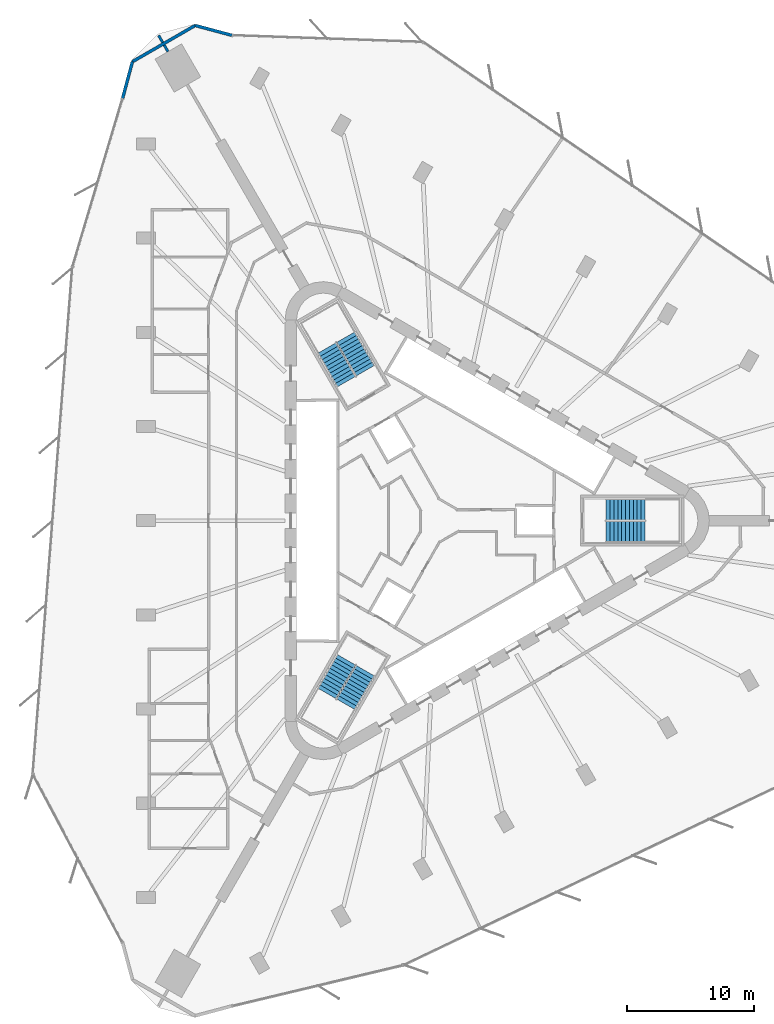
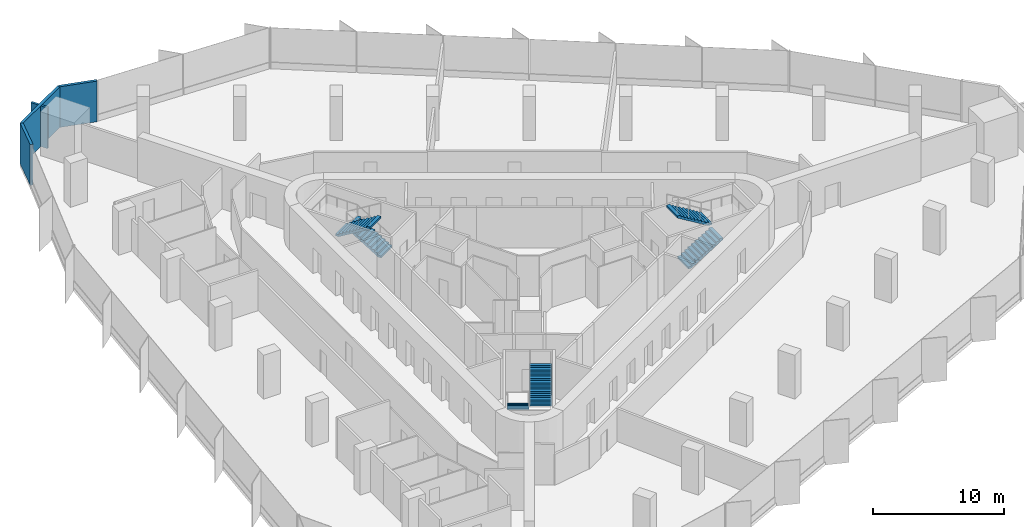
# One storey, part 14 of 15: 6 stair flights, 5 walls, 3 elements without a shape of their own.
"""IFC4 building model written with IfcOpenShell, lengths in metres."""

from ifc_helpers import new_model, si_unit, direction, frame, frame_2d, origin, place, context, subcontext, project, spatial, polyline, rectangle, outline, extrude, material, layer, layer_set, type_object, element, aggregate, save


model = new_model("IFC4")

# Units and contexts
model_context = context("Model", 3, precision=1e-05, world=origin(), true_north=direction((0.0, 1.0)))
body_context = subcontext(model_context, "Body", "Model", "MODEL_VIEW")
ifc_project = project(units=[si_unit("LENGTHUNIT", "METRE"), si_unit("AREAUNIT", "SQUARE_METRE"), si_unit("VOLUMEUNIT", "CUBIC_METRE"), si_unit("PLANEANGLEUNIT", "RADIAN"), si_unit("MASSUNIT", "GRAM", prefix="KILO")], contexts=[model_context])

# Site, building, storey
site_placement = place(None, origin())
site = spatial("IfcSite", under=ifc_project, at=site_placement, CompositionType="ELEMENT")
building_placement = place(site_placement, origin())
building = spatial("IfcBuilding", under=site, at=building_placement, Name="Tanit Gate Tower", CompositionType="ELEMENT")
storey_placement = place(building_placement, frame((0.0, 0.0, 102.89990234375)))
storey = spatial("IfcBuildingStorey", under=building, at=storey_placement, Name="L21", CompositionType="ELEMENT", Elevation=102.89990234375)

# Walls
ifc_material_1 = material(Name="Concrete C30/37 with bronze anodised aluminium cladding", Category="concrete")
ifc_layer_1 = layer(ifc_material_1, 0.239990234375)
ifc_layer_set_1 = layer_set([ifc_layer_1], Name="Facade wall bronze clad 240")
wall_type_1 = type_object("IfcWallType", Name="Facade wall bronze clad 240", PredefinedType="SOLIDWALL", material=ifc_layer_set_1)
wall_1_placement = place(storey_placement, frame((-16.26318359375, 38.09033203125, 0.0), z_axis=(0.0, 0.0, 1.0), x_axis=(-0.965934938286, 0.258785036271, 0.0)))
element("IfcWall", 1, at=wall_1_placement, inside=storey, type_object=wall_type_1, Name="Bronze-clad facade wall L21 NW.arc1", PredefinedType="SOLIDWALL", context=body_context, shape_type="SweptSolid", body=[
    extrude(rectangle(XDim=2.991455078125, YDim=0.239990234375, at=frame_2d((1.49560546875, 0.0))), origin(), (0.0, 0.0, 1.0), 3.800048828125),
])
wall_2_placement = place(storey_placement, frame((-19.15283203125, 38.864501953125, 0.0), z_axis=(0.0, 0.0, 1.0), x_axis=(-0.866024844342, -0.500000968981, 0.0)))
element("IfcWall", 2, at=wall_2_placement, inside=storey, type_object=wall_type_1, Name="Bronze-clad facade wall L21 NW.arc2", PredefinedType="SOLIDWALL", context=body_context, shape_type="SweptSolid", body=[
    extrude(rectangle(XDim=5.69091796875, YDim=0.239990234375, at=frame_2d((2.845458984375, 0.0))), origin(), (0.0, 0.0, 1.0), 3.800048828125),
])
wall_3_placement = place(storey_placement, frame((-24.081298828125, 36.01904296875, 0.0), z_axis=(0.0, 0.0, 1.0), x_axis=(-0.258830280341, -0.965922815746, 0.0)))
element("IfcWall", 3, at=wall_3_placement, inside=storey, type_object=wall_type_1, Name="Bronze-clad facade wall L21 NW.arc3", PredefinedType="SOLIDWALL", context=body_context, shape_type="SweptSolid", body=[
    extrude(rectangle(XDim=2.979736328125, YDim=0.239990234375, at=frame_2d((1.48974609375, 0.0))), origin(), (0.0, 0.0, 1.0), 3.800048828125),
])
ifc_material_2 = material(Name="Fire-rated gypsum board partition")
ifc_layer_2 = layer(ifc_material_2, 0.199951171875)
ifc_layer_set_2 = layer_set([ifc_layer_2], Name="INT-WALL-COMPARTMENT")
wall_type_2 = type_object("IfcWallType", Name="INT-WALL-COMPARTMENT", PredefinedType="PARTITIONING", material=ifc_layer_set_2)
wall_4_placement = place(storey_placement, frame((-21.286376953125, 36.80908203125, 0.0), z_axis=(0.0, 0.0, 1.0), x_axis=(-0.500078724409, 0.865979947454, 0.0)))
element("IfcWall", 4, at=wall_4_placement, inside=storey, type_object=wall_type_2, Name="Wall Compartment W116", PredefinedType="PARTITIONING", context=body_context, shape_type="SweptSolid", body=[
    extrude(rectangle(XDim=0.59326171875, YDim=0.199951171875, at=frame_2d((0.296630859375, 0.0))), origin(), (0.0, 0.0, 1.0), 3.800048828125),
])
wall_5_placement = place(storey_placement, frame((-21.703125, 37.53076171875, 0.0), z_axis=(0.0, 0.0, 1.0), x_axis=(-0.499988999718, 0.866031754707, 0.0)))
element("IfcWall", 5, at=wall_5_placement, inside=storey, type_object=wall_type_2, Name="Wall Compartment W116x1", PredefinedType="PARTITIONING", context=body_context, shape_type="SweptSolid", body=[
    extrude(rectangle(XDim=0.63427734375, YDim=0.199951171875, at=frame_2d((0.317138671875, 0.0))), origin(), (0.0, 0.0, 1.0), 3.800048828125),
])

# Stair, stair flights
ifc_material_3 = material(Name="Concrete C40/50", Category="concrete")
stair_type = type_object("IfcStairType", Name="INT-STAIR-EXIT", PredefinedType="HALF_TURN_STAIR", material=ifc_material_3)
stair_1_placement = place(storey_placement, origin())
stair_1 = element("IfcStair", 6, at=stair_1_placement, inside=storey, type_object=stair_type, Name="L21 STAIR S1", PredefinedType="HALF_TURN_STAIR")
ifc_material_4 = material(Name="Concrete C40/50", Category="concrete")
stair_flight_type = type_object("IfcStairFlightType", Name="INT-STAIR-FLIGHT", PredefinedType="STRAIGHT", material=ifc_material_4)
stair_flight_1_placement = place(storey_placement, frame((13.094970703125, -0.8525390625, 0.0), z_axis=(0.0, 0.0, 1.0), x_axis=(1.0, 0.0, 0.0)))
stair_flight_1 = element("IfcStairFlight", 7, at=stair_flight_1_placement, type_object=stair_flight_type, Name="S1 flight 1", NumberOfRisers=11, NumberOfTreads=10, PredefinedType="STRAIGHT", RiserHeight=0.186363636, TreadLength=0.3051, context=body_context, shape_type="SweptSolid", body=[
    extrude(outline(polyline([(0.0, 0.0), (0.0, 0.186279296875), (0.30517578125, 0.186279296875), (0.30517578125, 0.372802734375), (0.610107421875, 0.372802734375), (0.610107421875, 0.55908203125), (0.915283203125, 0.55908203125), (0.915283203125, 0.745361328125), (1.220458984375, 0.745361328125), (1.220458984375, 0.931884765625), (1.525390625, 0.931884765625), (1.525390625, 1.1181640625), (1.83056640625, 1.1181640625), (1.83056640625, 1.304443359375), (2.1357421875, 1.304443359375), (2.1357421875, 1.490966796875), (2.44091796875, 1.490966796875), (2.44091796875, 1.67724609375), (2.745849609375, 1.67724609375), (2.745849609375, 1.863525390625), (3.051025390625, 1.863525390625), (3.051025390625, 2.050048828125), (3.051025390625, 1.68798828125), (0.28759765625, 0.0), (0.0, 0.0)])), frame((0.0, 0.84765625, 0.0), z_axis=(0.0, -1.0, 0.0), x_axis=(1.0, 0.0, 0.0)), (0.0, 0.0, 1.0), 1.695068359375),
])
stair_flight_2_placement = place(storey_placement, frame((16.14599609375, 0.8525390625, 2.050048828125), z_axis=(0.0, 0.0, 1.0), x_axis=(-1.0, 0.0, 0.0)))
stair_flight_2 = element("IfcStairFlight", 8, at=stair_flight_2_placement, type_object=stair_flight_type, Name="S1 flight 2", NumberOfRisers=11, NumberOfTreads=10, PredefinedType="STRAIGHT", RiserHeight=0.186363636, TreadLength=0.3051, context=body_context, shape_type="SweptSolid", body=[
    extrude(outline(polyline([(0.0, 0.0), (0.0, 0.186279296875), (0.30517578125, 0.186279296875), (0.30517578125, 0.372802734375), (0.610107421875, 0.372802734375), (0.610107421875, 0.55908203125), (0.915283203125, 0.55908203125), (0.915283203125, 0.745361328125), (1.220458984375, 0.745361328125), (1.220458984375, 0.931884765625), (1.525390625, 0.931884765625), (1.525390625, 1.1181640625), (1.83056640625, 1.1181640625), (1.83056640625, 1.304443359375), (2.1357421875, 1.304443359375), (2.1357421875, 1.490966796875), (2.44091796875, 1.490966796875), (2.44091796875, 1.67724609375), (2.745849609375, 1.67724609375), (2.745849609375, 1.863525390625), (3.051025390625, 1.863525390625), (3.051025390625, 2.050048828125), (3.051025390625, 1.68798828125), (0.28759765625, 0.0), (0.0, 0.0)])), frame((0.0, 0.84765625, 0.0), z_axis=(0.0, -1.0, 0.0), x_axis=(1.0, 0.0, 0.0)), (0.0, 0.0, 1.0), 1.695068359375),
])
aggregate(stair_1, [stair_flight_1, stair_flight_2])

stair_2_placement = place(storey_placement, origin())
stair_2 = element("IfcStair", 9, at=stair_2_placement, inside=storey, type_object=stair_type, Name="L21 STAIR S2", PredefinedType="HALF_TURN_STAIR")
stair_flight_3_placement = place(storey_placement, frame((-5.808349609375, 11.766357421875, 0.0), z_axis=(0.0, 0.0, 1.0), x_axis=(-0.5, 0.866025403784, 0.0)))
stair_flight_3 = element("IfcStairFlight", 10, at=stair_flight_3_placement, type_object=stair_flight_type, Name="S2 flight 1", NumberOfRisers=11, NumberOfTreads=10, PredefinedType="STRAIGHT", RiserHeight=0.186363636, TreadLength=0.30492, context=body_context, shape_type="SweptSolid", body=[
    extrude(outline(polyline([(0.0, 0.0), (0.0, 0.186279296875), (0.304931640625, 0.186279296875), (0.304931640625, 0.372802734375), (0.60986328125, 0.372802734375), (0.60986328125, 0.55908203125), (0.914794921875, 0.55908203125), (0.914794921875, 0.745361328125), (1.2197265625, 0.745361328125), (1.2197265625, 0.931884765625), (1.524658203125, 0.931884765625), (1.524658203125, 1.1181640625), (1.82958984375, 1.1181640625), (1.82958984375, 1.304443359375), (2.134521484375, 1.304443359375), (2.134521484375, 1.490966796875), (2.439453125, 1.490966796875), (2.439453125, 1.67724609375), (2.744384765625, 1.67724609375), (2.744384765625, 1.863525390625), (3.04931640625, 1.863525390625), (3.04931640625, 2.050048828125), (3.04931640625, 1.68798828125), (0.287353515625, 0.0), (0.0, 0.0)])), frame((0.0, 0.84716796875, 0.0), z_axis=(0.0, -1.0, 0.0), x_axis=(1.0, 0.0, 0.0)), (0.0, 0.0, 1.0), 1.694091796875),
])
stair_flight_4_placement = place(storey_placement, frame((-8.810302734375, 13.553955078125, 2.050048828125), z_axis=(0.0, 0.0, 1.0), x_axis=(0.5, -0.866025403784, 0.0)))
stair_flight_4 = element("IfcStairFlight", 11, at=stair_flight_4_placement, type_object=stair_flight_type, Name="S2 flight 2", NumberOfRisers=11, NumberOfTreads=10, PredefinedType="STRAIGHT", RiserHeight=0.186363636, TreadLength=0.30492, context=body_context, shape_type="SweptSolid", body=[
    extrude(outline(polyline([(0.0, 0.0), (0.0, 0.186279296875), (0.304931640625, 0.186279296875), (0.304931640625, 0.372802734375), (0.60986328125, 0.372802734375), (0.60986328125, 0.55908203125), (0.914794921875, 0.55908203125), (0.914794921875, 0.745361328125), (1.2197265625, 0.745361328125), (1.2197265625, 0.931884765625), (1.524658203125, 0.931884765625), (1.524658203125, 1.1181640625), (1.82958984375, 1.1181640625), (1.82958984375, 1.304443359375), (2.134521484375, 1.304443359375), (2.134521484375, 1.490966796875), (2.439453125, 1.490966796875), (2.439453125, 1.67724609375), (2.744384765625, 1.67724609375), (2.744384765625, 1.863525390625), (3.04931640625, 1.863525390625), (3.04931640625, 2.050048828125), (3.04931640625, 1.68798828125), (0.287353515625, 0.0), (0.0, 0.0)])), frame((0.0, 0.84716796875, 0.0), z_axis=(0.0, -1.0, 0.0), x_axis=(1.0, 0.0, 0.0)), (0.0, 0.0, 1.0), 1.694091796875),
])
aggregate(stair_2, [stair_flight_3, stair_flight_4])

stair_3_placement = place(storey_placement, origin())
stair_3 = element("IfcStair", 12, at=stair_3_placement, inside=storey, type_object=stair_type, Name="L21 STAIR S3", PredefinedType="HALF_TURN_STAIR")
stair_flight_5_placement = place(storey_placement, frame((-7.285888671875, -10.914306640625, 0.0), z_axis=(0.0, 0.0, 1.0), x_axis=(-0.5, -0.866025403784, 0.0)))
stair_flight_5 = element("IfcStairFlight", 13, at=stair_flight_5_placement, type_object=stair_flight_type, Name="S3 flight 1", NumberOfRisers=11, NumberOfTreads=10, PredefinedType="STRAIGHT", RiserHeight=0.186363636, TreadLength=0.3051, context=body_context, shape_type="SweptSolid", body=[
    extrude(outline(polyline([(0.0, 0.0), (0.0, 0.186279296875), (0.30517578125, 0.186279296875), (0.30517578125, 0.372802734375), (0.610107421875, 0.372802734375), (0.610107421875, 0.55908203125), (0.915283203125, 0.55908203125), (0.915283203125, 0.745361328125), (1.220458984375, 0.745361328125), (1.220458984375, 0.931884765625), (1.525390625, 0.931884765625), (1.525390625, 1.1181640625), (1.83056640625, 1.1181640625), (1.83056640625, 1.304443359375), (2.1357421875, 1.304443359375), (2.1357421875, 1.490966796875), (2.44091796875, 1.490966796875), (2.44091796875, 1.67724609375), (2.745849609375, 1.67724609375), (2.745849609375, 1.863525390625), (3.051025390625, 1.863525390625), (3.051025390625, 2.050048828125), (3.051025390625, 1.68798828125), (0.28759765625, 0.0), (0.0, 0.0)])), frame((0.0, 0.84765625, 0.0), z_axis=(0.0, -1.0, 0.0), x_axis=(1.0, 0.0, 0.0)), (0.0, 0.0, 1.0), 1.695068359375),
])
stair_flight_6_placement = place(storey_placement, frame((-7.334716796875, -14.4091796875, 2.050048828125), z_axis=(0.0, 0.0, 1.0), x_axis=(0.5, 0.866025403784, 0.0)))
stair_flight_6 = element("IfcStairFlight", 14, at=stair_flight_6_placement, type_object=stair_flight_type, Name="S3 flight 2", NumberOfRisers=11, NumberOfTreads=10, PredefinedType="STRAIGHT", RiserHeight=0.186363636, TreadLength=0.3051, context=body_context, shape_type="SweptSolid", body=[
    extrude(outline(polyline([(0.0, 0.0), (0.0, 0.186279296875), (0.30517578125, 0.186279296875), (0.30517578125, 0.372802734375), (0.610107421875, 0.372802734375), (0.610107421875, 0.55908203125), (0.915283203125, 0.55908203125), (0.915283203125, 0.745361328125), (1.220458984375, 0.745361328125), (1.220458984375, 0.931884765625), (1.525390625, 0.931884765625), (1.525390625, 1.1181640625), (1.83056640625, 1.1181640625), (1.83056640625, 1.304443359375), (2.1357421875, 1.304443359375), (2.1357421875, 1.490966796875), (2.44091796875, 1.490966796875), (2.44091796875, 1.67724609375), (2.745849609375, 1.67724609375), (2.745849609375, 1.863525390625), (3.051025390625, 1.863525390625), (3.051025390625, 2.050048828125), (3.051025390625, 1.68798828125), (0.28759765625, 0.0), (0.0, 0.0)])), frame((0.0, 0.84765625, 0.0), z_axis=(0.0, -1.0, 0.0), x_axis=(1.0, 0.0, 0.0)), (0.0, 0.0, 1.0), 1.695068359375),
])
aggregate(stair_3, [stair_flight_5, stair_flight_6])

save(model, "model.ifc")
